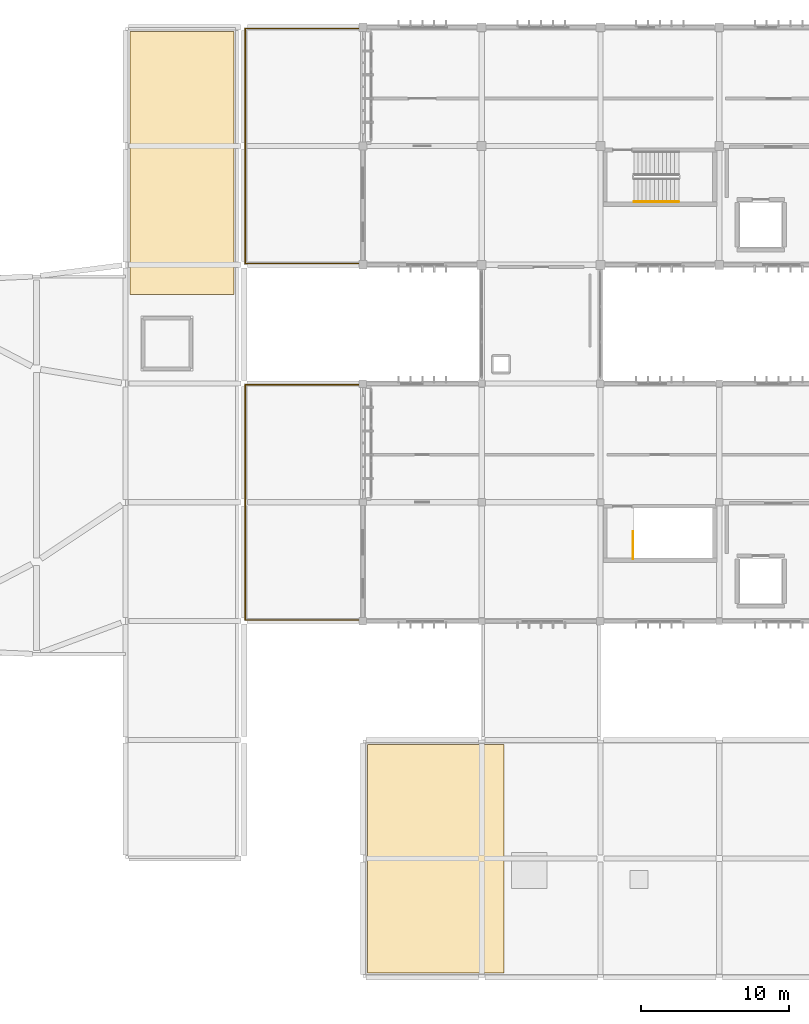
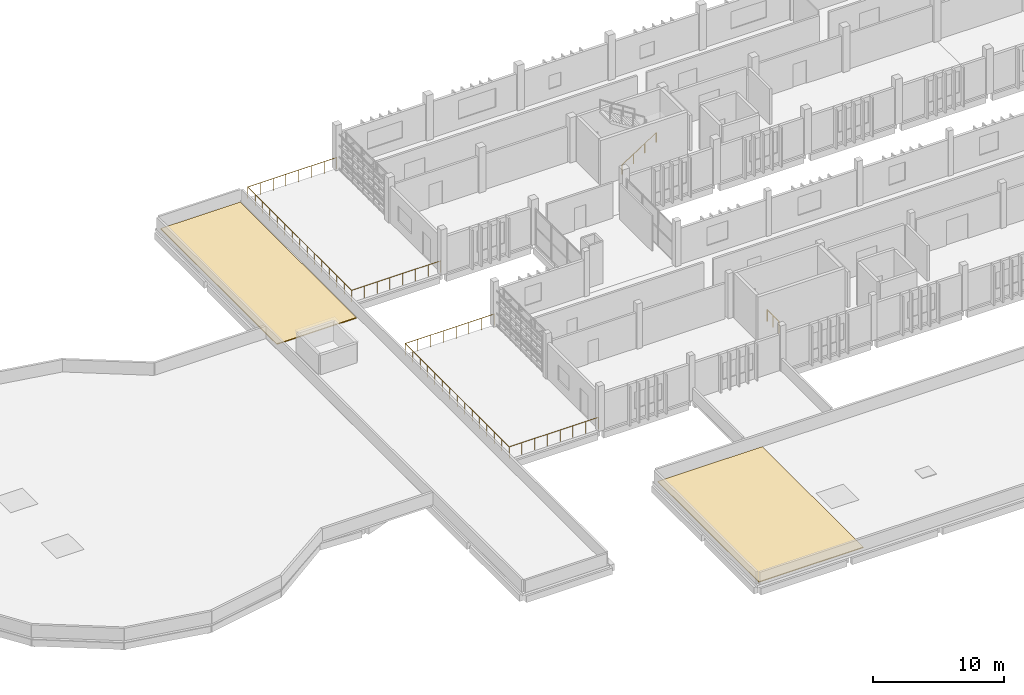
# One storey, part 44 of 48: 4 railings, 2 coverings.
"""IFC4 building model written with IfcOpenShell, lengths in metres."""

from ifc_helpers import new_model, si_unit, direction, frame, origin, origin_2d, place, context, subcontext, project, spatial, polyline, circle, outline, extrude, material, layer, layer_set, type_object, element, save


model = new_model("IFC4")

# Units and contexts
model_context = context("Model", 3, precision=1e-05, world=origin(), true_north=direction((0.0, 1.0)))
body_context = subcontext(model_context, "Body", "Model", "MODEL_VIEW")
ifc_project = project(units=[si_unit("LENGTHUNIT", "METRE"), si_unit("AREAUNIT", "SQUARE_METRE"), si_unit("VOLUMEUNIT", "CUBIC_METRE"), si_unit("PLANEANGLEUNIT", "RADIAN"), si_unit("MASSUNIT", "GRAM", prefix="KILO")], contexts=[model_context])

# Site, building, storey
site_placement = place(None, origin())
site = spatial("IfcSite", under=ifc_project, at=site_placement, CompositionType="ELEMENT")
building_placement = place(site_placement, origin())
building = spatial("IfcBuilding", under=site, at=building_placement, Name="Jelvoka-Kovrelna Polytechnic", CompositionType="ELEMENT")
storey_placement = place(building_placement, frame((0.0, 0.0, 22.199951171875)))
storey = spatial("IfcBuildingStorey", under=building, at=storey_placement, Name="L06", CompositionType="ELEMENT", Elevation=22.199951171875)

# Coverings
ifc_material_1 = material(Name="Insulated elastomeric waterproofing membrane")
ifc_layer = layer(ifc_material_1, 0.080078125)
ifc_layer_set = layer_set([ifc_layer], Name="Insulated elastomeric waterproofing membrane")
covering_type = type_object("IfcCoveringType", Name="Covering_Roof_Membrane_80", PredefinedType="ROOFING", material=ifc_layer_set)
covering_1_placement = place(storey_placement, origin())
element("IfcCovering", 1, at=covering_1_placement, inside=storey, type_object=covering_type, Name="L06 insulated roof membrane COV-ROOF-L06-B1", PredefinedType="ROOFING", context=body_context, shape_type="SweptSolid", body=[
    extrude(outline(polyline([(64.300048828125, 8.300048828125), (73.5, 8.300048828125), (73.5, 23.699951171875), (64.300048828125, 23.699951171875), (64.300048828125, 8.300048828125)])), origin(), (0.0, 0.0, 1.0), 0.080078125),
])
covering_2_placement = place(storey_placement, origin())
element("IfcCovering", 2, at=covering_2_placement, inside=storey, type_object=covering_type, Name="L06 insulated roof membrane COV-ROOF-L06-SP", PredefinedType="ROOFING", context=body_context, shape_type="SweptSolid", body=[
    extrude(outline(polyline([(48.300048828125, 54.0), (55.300048828125, 54.0), (55.300048828125, 71.699951171875), (48.300048828125, 71.699951171875), (48.300048828125, 54.0)])), origin(), (0.0, 0.0, 1.0), 0.080078125),
])

# Railings
ifc_material_2 = material(Name="Powder-coated steel stair guard", Category="steel")
railing_type_1 = type_object("IfcRailingType", Name="Railing_Stair_Guard_1100", PredefinedType="GUARDRAIL", material=ifc_material_2)
railing_1_placement = place(storey_placement, frame((82.199951171875, 36.199951171875, 0.0)))
element("IfcRailing", 3, at=railing_1_placement, inside=storey, type_object=railing_type_1, Name="L06 ST07 top well guard 1", PredefinedType="GUARDRAIL", context=body_context, shape_type="SweptSolid", body=[
    extrude(circle(Radius=0.02392578125, at=origin_2d()), frame((0.0, 0.0, 1.076171875), z_axis=(0.0, 1.0, 0.0), x_axis=(-1.0, 0.0, 0.0)), (0.0, 0.0, 1.0), 1.820068359375),
    extrude(circle(Radius=0.02099609375, at=origin_2d()), origin(), (0.0, 0.0, 1.0), 1.052001953125),
    extrude(circle(Radius=0.02099609375, at=origin_2d()), frame((0.0, 0.91015625, 0.0)), (0.0, 0.0, 1.0), 1.052001953125),
    extrude(circle(Radius=0.02099609375, at=origin_2d()), frame((0.0, 1.820068359375, 0.0)), (0.0, 0.0, 1.0), 1.052001953125),
])
ifc_material_3 = material(Name="Brushed stainless steel handrail", Category="steel")
railing_type_2 = type_object("IfcRailingType", Name="Railing_Stair_Handrail_900", PredefinedType="HANDRAIL", material=ifc_material_3)
railing_2_placement = place(storey_placement, frame((82.25, 60.25, 0.175048828125)))
element("IfcRailing", 4, at=railing_2_placement, inside=storey, type_object=railing_type_2, Name="L06 ST09 stair handrail 1", PredefinedType="HANDRAIL", context=body_context, shape_type="SweptSolid", body=[
    extrude(circle(Radius=0.02392578125, at=origin_2d()), frame((0.0, 0.0, 0.8759765625), z_axis=(0.84364746871, 0.0, 0.536897521451), x_axis=(0.0, 1.0, 0.0)), (0.0, 0.0, 1.0), 3.58544921875),
    extrude(circle(Radius=0.02099609375, at=origin_2d()), origin(), (0.0, 0.0, 1.0), 0.851806640625),
    extrude(circle(Radius=0.02099609375, at=origin_2d()), frame((1.00830078125, 0.0, 0.6416015625)), (0.0, 0.0, 1.0), 0.851806640625),
    extrude(circle(Radius=0.02099609375, at=origin_2d()), frame((2.0166015625, 0.0, 1.283447265625)), (0.0, 0.0, 1.0), 0.851806640625),
    extrude(circle(Radius=0.02099609375, at=origin_2d()), frame((3.02490234375, 0.0, 1.925048828125)), (0.0, 0.0, 1.0), 0.851806640625),
])
ifc_material_4 = material(Name="Brushed stainless steel Grade 316", Category="steel")
railing_type_3 = type_object("IfcRailingType", Name="Railing_Terrace_Guard_1100", PredefinedType="GUARDRAIL", material=ifc_material_4)
railing_3_placement = place(storey_placement, frame((63.919921875, 32.080078125, 0.0)))
element("IfcRailing", 5, at=railing_3_placement, inside=storey, type_object=railing_type_3, Name="L06 terrace perimeter guard TER-L06-B2WW", PredefinedType="GUARDRAIL", context=body_context, shape_type="SweptSolid", body=[
    extrude(circle(Radius=0.02392578125, at=origin_2d()), frame((0.0, 0.0, 1.076171875), z_axis=(-1.0, 0.0, 0.0), x_axis=(0.0, -1.0, 0.0)), (0.0, 0.0, 1.0), 7.83984375),
    extrude(circle(Radius=0.02392578125, at=origin_2d()), frame((-7.83984375, 0.0, 1.076171875), z_axis=(0.0, 1.0, 0.0), x_axis=(-1.0, 0.0, 0.0)), (0.0, 0.0, 1.0), 15.83984375),
    extrude(circle(Radius=0.02392578125, at=origin_2d()), frame((-7.83984375, 15.83984375, 1.076171875), z_axis=(1.0, 0.0, 0.0), x_axis=(0.0, 1.0, 0.0)), (0.0, 0.0, 1.0), 7.83984375),
    extrude(circle(Radius=0.02099609375, at=origin_2d()), origin(), (0.0, 0.0, 1.0), 1.052001953125),
    extrude(circle(Radius=0.02099609375, at=origin_2d()), frame((-1.119873046875, 0.0, 0.0)), (0.0, 0.0, 1.0), 1.052001953125),
    extrude(circle(Radius=0.02099609375, at=origin_2d()), frame((-2.239990234375, 0.0, 0.0)), (0.0, 0.0, 1.0), 1.052001953125),
    extrude(circle(Radius=0.02099609375, at=origin_2d()), frame((-3.35986328125, 0.0, 0.0)), (0.0, 0.0, 1.0), 1.052001953125),
    extrude(circle(Radius=0.02099609375, at=origin_2d()), frame((-4.47998046875, 0.0, 0.0)), (0.0, 0.0, 1.0), 1.052001953125),
    extrude(circle(Radius=0.02099609375, at=origin_2d()), frame((-5.599853515625, 0.0, 0.0)), (0.0, 0.0, 1.0), 1.052001953125),
    extrude(circle(Radius=0.02099609375, at=origin_2d()), frame((-6.719970703125, 0.0, 0.0)), (0.0, 0.0, 1.0), 1.052001953125),
    extrude(circle(Radius=0.02099609375, at=origin_2d()), frame((-7.83984375, 0.0, 0.0)), (0.0, 0.0, 1.0), 1.052001953125),
    extrude(circle(Radius=0.02099609375, at=origin_2d()), frame((-7.83984375, 1.13134765625, 0.0)), (0.0, 0.0, 1.0), 1.052001953125),
    extrude(circle(Radius=0.02099609375, at=origin_2d()), frame((-7.83984375, 2.262939453125, 0.0)), (0.0, 0.0, 1.0), 1.052001953125),
    extrude(circle(Radius=0.02099609375, at=origin_2d()), frame((-7.83984375, 3.394287109375, 0.0)), (0.0, 0.0, 1.0), 1.052001953125),
    extrude(circle(Radius=0.02099609375, at=origin_2d()), frame((-7.83984375, 4.525634765625, 0.0)), (0.0, 0.0, 1.0), 1.052001953125),
    extrude(circle(Radius=0.02099609375, at=origin_2d()), frame((-7.83984375, 5.656982421875, 0.0)), (0.0, 0.0, 1.0), 1.052001953125),
    extrude(circle(Radius=0.02099609375, at=origin_2d()), frame((-7.83984375, 6.78857421875, 0.0)), (0.0, 0.0, 1.0), 1.052001953125),
    extrude(circle(Radius=0.02099609375, at=origin_2d()), frame((-7.83984375, 7.919921875, 0.0)), (0.0, 0.0, 1.0), 1.052001953125),
    extrude(circle(Radius=0.02099609375, at=origin_2d()), frame((-7.83984375, 9.05126953125, 0.0)), (0.0, 0.0, 1.0), 1.052001953125),
    extrude(circle(Radius=0.02099609375, at=origin_2d()), frame((-7.83984375, 10.182861328125, 0.0)), (0.0, 0.0, 1.0), 1.052001953125),
    extrude(circle(Radius=0.02099609375, at=origin_2d()), frame((-7.83984375, 11.314208984375, 0.0)), (0.0, 0.0, 1.0), 1.052001953125),
    extrude(circle(Radius=0.02099609375, at=origin_2d()), frame((-7.83984375, 12.445556640625, 0.0)), (0.0, 0.0, 1.0), 1.052001953125),
    extrude(circle(Radius=0.02099609375, at=origin_2d()), frame((-7.83984375, 13.576904296875, 0.0)), (0.0, 0.0, 1.0), 1.052001953125),
    extrude(circle(Radius=0.02099609375, at=origin_2d()), frame((-7.83984375, 14.70849609375, 0.0)), (0.0, 0.0, 1.0), 1.052001953125),
    extrude(circle(Radius=0.02099609375, at=origin_2d()), frame((-7.83984375, 15.83984375, 0.0)), (0.0, 0.0, 1.0), 1.052001953125),
    extrude(circle(Radius=0.02099609375, at=origin_2d()), frame((-6.719970703125, 15.83984375, 0.0)), (0.0, 0.0, 1.0), 1.052001953125),
    extrude(circle(Radius=0.02099609375, at=origin_2d()), frame((-5.599853515625, 15.83984375, 0.0)), (0.0, 0.0, 1.0), 1.052001953125),
    extrude(circle(Radius=0.02099609375, at=origin_2d()), frame((-4.47998046875, 15.83984375, 0.0)), (0.0, 0.0, 1.0), 1.052001953125),
    extrude(circle(Radius=0.02099609375, at=origin_2d()), frame((-3.35986328125, 15.83984375, 0.0)), (0.0, 0.0, 1.0), 1.052001953125),
    extrude(circle(Radius=0.02099609375, at=origin_2d()), frame((-2.239990234375, 15.83984375, 0.0)), (0.0, 0.0, 1.0), 1.052001953125),
    extrude(circle(Radius=0.02099609375, at=origin_2d()), frame((-1.119873046875, 15.83984375, 0.0)), (0.0, 0.0, 1.0), 1.052001953125),
    extrude(circle(Radius=0.02099609375, at=origin_2d()), frame((0.0, 15.83984375, 0.0)), (0.0, 0.0, 1.0), 1.052001953125),
])
railing_4_placement = place(storey_placement, frame((63.919921875, 56.080078125, 0.0)))
element("IfcRailing", 6, at=railing_4_placement, inside=storey, type_object=railing_type_3, Name="L06 terrace perimeter guard TER-L06-B3W", PredefinedType="GUARDRAIL", context=body_context, shape_type="SweptSolid", body=[
    extrude(circle(Radius=0.02392578125, at=origin_2d()), frame((0.0, 0.0, 1.076171875), z_axis=(-1.0, 0.0, 0.0), x_axis=(0.0, -1.0, 0.0)), (0.0, 0.0, 1.0), 7.83984375),
    extrude(circle(Radius=0.02392578125, at=origin_2d()), frame((-7.83984375, 0.0, 1.076171875), z_axis=(0.0, 1.0, 0.0), x_axis=(-1.0, 0.0, 0.0)), (0.0, 0.0, 1.0), 15.83984375),
    extrude(circle(Radius=0.02392578125, at=origin_2d()), frame((-7.83984375, 15.83984375, 1.076171875), z_axis=(1.0, 0.0, 0.0), x_axis=(0.0, 1.0, 0.0)), (0.0, 0.0, 1.0), 7.83984375),
    extrude(circle(Radius=0.02099609375, at=origin_2d()), origin(), (0.0, 0.0, 1.0), 1.052001953125),
    extrude(circle(Radius=0.02099609375, at=origin_2d()), frame((-1.119873046875, 0.0, 0.0)), (0.0, 0.0, 1.0), 1.052001953125),
    extrude(circle(Radius=0.02099609375, at=origin_2d()), frame((-2.239990234375, 0.0, 0.0)), (0.0, 0.0, 1.0), 1.052001953125),
    extrude(circle(Radius=0.02099609375, at=origin_2d()), frame((-3.35986328125, 0.0, 0.0)), (0.0, 0.0, 1.0), 1.052001953125),
    extrude(circle(Radius=0.02099609375, at=origin_2d()), frame((-4.47998046875, 0.0, 0.0)), (0.0, 0.0, 1.0), 1.052001953125),
    extrude(circle(Radius=0.02099609375, at=origin_2d()), frame((-5.599853515625, 0.0, 0.0)), (0.0, 0.0, 1.0), 1.052001953125),
    extrude(circle(Radius=0.02099609375, at=origin_2d()), frame((-6.719970703125, 0.0, 0.0)), (0.0, 0.0, 1.0), 1.052001953125),
    extrude(circle(Radius=0.02099609375, at=origin_2d()), frame((-7.83984375, 0.0, 0.0)), (0.0, 0.0, 1.0), 1.052001953125),
    extrude(circle(Radius=0.02099609375, at=origin_2d()), frame((-7.83984375, 1.13134765625, 0.0)), (0.0, 0.0, 1.0), 1.052001953125),
    extrude(circle(Radius=0.02099609375, at=origin_2d()), frame((-7.83984375, 2.262939453125, 0.0)), (0.0, 0.0, 1.0), 1.052001953125),
    extrude(circle(Radius=0.02099609375, at=origin_2d()), frame((-7.83984375, 3.394287109375, 0.0)), (0.0, 0.0, 1.0), 1.052001953125),
    extrude(circle(Radius=0.02099609375, at=origin_2d()), frame((-7.83984375, 4.525634765625, 0.0)), (0.0, 0.0, 1.0), 1.052001953125),
    extrude(circle(Radius=0.02099609375, at=origin_2d()), frame((-7.83984375, 5.656982421875, 0.0)), (0.0, 0.0, 1.0), 1.052001953125),
    extrude(circle(Radius=0.02099609375, at=origin_2d()), frame((-7.83984375, 6.78857421875, 0.0)), (0.0, 0.0, 1.0), 1.052001953125),
    extrude(circle(Radius=0.02099609375, at=origin_2d()), frame((-7.83984375, 7.919921875, 0.0)), (0.0, 0.0, 1.0), 1.052001953125),
    extrude(circle(Radius=0.02099609375, at=origin_2d()), frame((-7.83984375, 9.05126953125, 0.0)), (0.0, 0.0, 1.0), 1.052001953125),
    extrude(circle(Radius=0.02099609375, at=origin_2d()), frame((-7.83984375, 10.182861328125, 0.0)), (0.0, 0.0, 1.0), 1.052001953125),
    extrude(circle(Radius=0.02099609375, at=origin_2d()), frame((-7.83984375, 11.314208984375, 0.0)), (0.0, 0.0, 1.0), 1.052001953125),
    extrude(circle(Radius=0.02099609375, at=origin_2d()), frame((-7.83984375, 12.445556640625, 0.0)), (0.0, 0.0, 1.0), 1.052001953125),
    extrude(circle(Radius=0.02099609375, at=origin_2d()), frame((-7.83984375, 13.576904296875, 0.0)), (0.0, 0.0, 1.0), 1.052001953125),
    extrude(circle(Radius=0.02099609375, at=origin_2d()), frame((-7.83984375, 14.70849609375, 0.0)), (0.0, 0.0, 1.0), 1.052001953125),
    extrude(circle(Radius=0.02099609375, at=origin_2d()), frame((-7.83984375, 15.83984375, 0.0)), (0.0, 0.0, 1.0), 1.052001953125),
    extrude(circle(Radius=0.02099609375, at=origin_2d()), frame((-6.719970703125, 15.83984375, 0.0)), (0.0, 0.0, 1.0), 1.052001953125),
    extrude(circle(Radius=0.02099609375, at=origin_2d()), frame((-5.599853515625, 15.83984375, 0.0)), (0.0, 0.0, 1.0), 1.052001953125),
    extrude(circle(Radius=0.02099609375, at=origin_2d()), frame((-4.47998046875, 15.83984375, 0.0)), (0.0, 0.0, 1.0), 1.052001953125),
    extrude(circle(Radius=0.02099609375, at=origin_2d()), frame((-3.35986328125, 15.83984375, 0.0)), (0.0, 0.0, 1.0), 1.052001953125),
    extrude(circle(Radius=0.02099609375, at=origin_2d()), frame((-2.239990234375, 15.83984375, 0.0)), (0.0, 0.0, 1.0), 1.052001953125),
    extrude(circle(Radius=0.02099609375, at=origin_2d()), frame((-1.119873046875, 15.83984375, 0.0)), (0.0, 0.0, 1.0), 1.052001953125),
    extrude(circle(Radius=0.02099609375, at=origin_2d()), frame((0.0, 15.83984375, 0.0)), (0.0, 0.0, 1.0), 1.052001953125),
])

save(model, "model.ifc")
